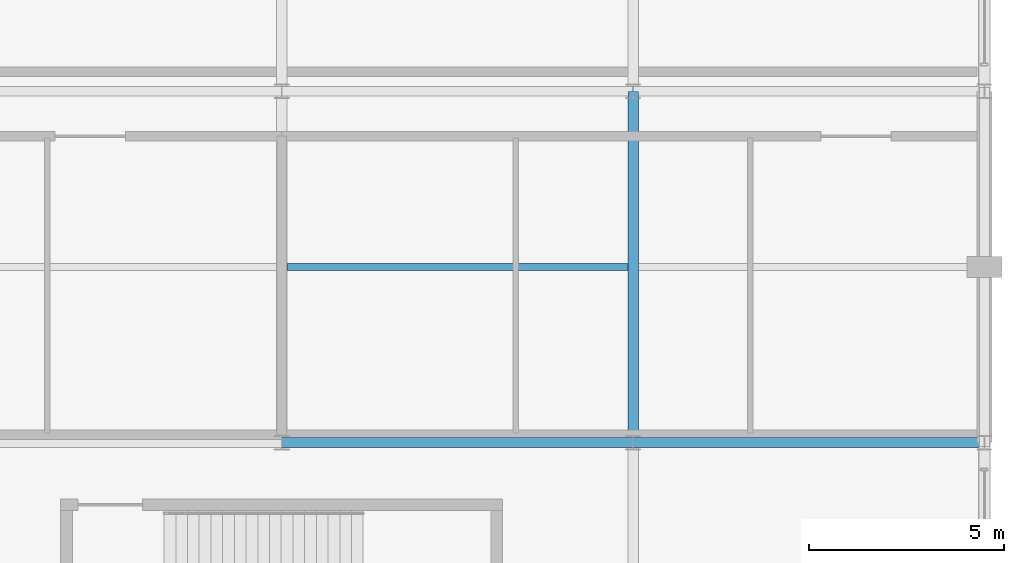
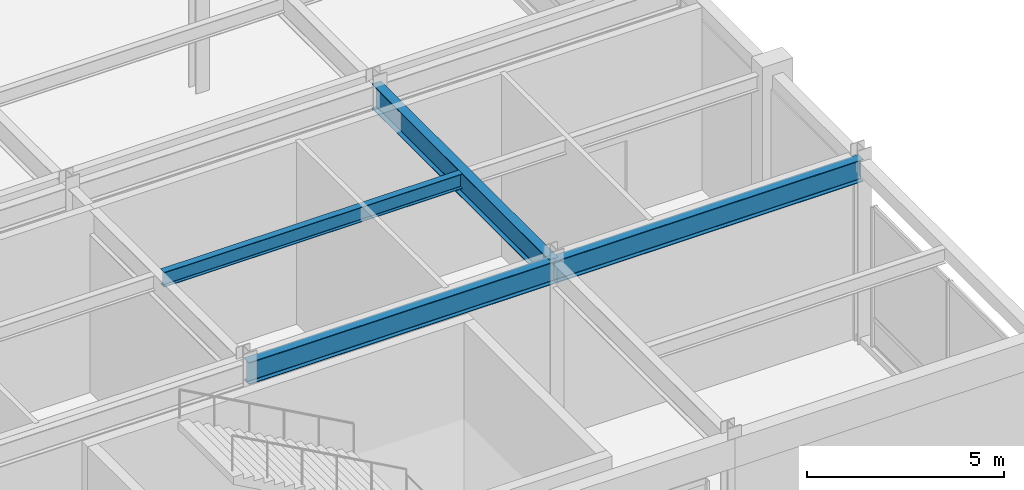
# One storey, part 53 of 108: 4 beams.
"""IFC4 building model written with IfcOpenShell, lengths in metres."""

import ifcopenshell
import ifcopenshell.guid

model = None  # the IFC model being written
_history = None  # IfcOwnerHistory: only IFC2X3 demands one
_inside = {}  # id of a spatial element -> (the spatial element, [elements in it])
_under = {}  # id of a project, library or spatial element -> (it, [spatial elements below it])
_declared = {}  # id of a project -> (the project, [libraries it declares])
_typed = {}  # id of a type object -> (the type object, [elements of that type])
_made_of = {}  # id of a material, layer set ... -> (it, [elements and type objects made of it])


def new_model(schema):
    """Start an empty IFC model of exactly this schema.

    Asked for "IFC4X3", IfcOpenShell would pick the latest addendum, in which some entities
    have other attributes; the version numbers below select the first issue.
    IFC2X3 requires an IfcOwnerHistory on every rooted entity: one is made here for all.
    """
    global model, _history
    if schema == "IFC4X3":
        model = ifcopenshell.file(schema_version=(4, 3, 0, 0))
    else:
        model = ifcopenshell.file(schema=schema)
    _inside.clear()
    _under.clear()
    _declared.clear()
    _typed.clear()
    _made_of.clear()
    _history = None
    if model.schema == "IFC2X3":
        org = make("IfcOrganization", Name="unknown")
        user = make(
            "IfcPersonAndOrganization",
            ThePerson=make("IfcPerson", FamilyName="unknown"),
            TheOrganization=org,
        )
        app = make(
            "IfcApplication",
            ApplicationDeveloper=org,
            Version="unknown",
            ApplicationFullName="unknown",
            ApplicationIdentifier="unknown",
        )
        _history = make(
            "IfcOwnerHistory",
            OwningUser=user,
            OwningApplication=app,
            ChangeAction="ADDED",
            CreationDate=0,
        )
    return model


def make(cls, **values):
    """One entity of the class cls with the attributes given. An attribute that is None is left unset."""
    return model.create_entity(
        cls, **{name: value for name, value in values.items() if value is not None}
    )


def rooted(cls, **values):
    """An entity with a GlobalId (a new one), such as an element, a storey or a relation."""
    return make(cls, GlobalId=ifcopenshell.guid.new(), OwnerHistory=_history, **values)


def si_unit(unit_type, name, prefix=None):
    """IfcSIUnit, for example si_unit("LENGTHUNIT", "METRE", prefix="MILLI")."""
    return make("IfcSIUnit", UnitType=unit_type, Prefix=prefix, Name=name)


def assignment(units):
    """IfcUnitAssignment: the units of a project."""
    return None if units is None else make("IfcUnitAssignment", Units=units)


def point(xyz):
    """IfcCartesianPoint."""
    return None if xyz is None else make("IfcCartesianPoint", Coordinates=xyz)


def direction(xyz):
    """IfcDirection."""
    return None if xyz is None else make("IfcDirection", DirectionRatios=xyz)


def frame(location, z_axis=None, x_axis=None):
    """IfcAxis2Placement3D, a coordinate frame: its origin and axes. An axis left out is left unset."""
    return make(
        "IfcAxis2Placement3D",
        Location=point(location),
        Axis=direction(z_axis),
        RefDirection=direction(x_axis),
    )


def frame_2d(location, x_axis=None):
    """IfcAxis2Placement2D, a coordinate frame in the plane: its origin and x axis."""
    return make(
        "IfcAxis2Placement2D", Location=point(location), RefDirection=direction(x_axis)
    )


def origin():
    """The frame at (0, 0, 0) with its axes left unset."""
    return frame((0.0, 0.0, 0.0))


def origin_2d():
    """The frame at (0, 0) in the plane with its x axis left unset."""
    return frame_2d((0.0, 0.0))


def place(relative_to, where):
    """IfcLocalPlacement: puts the frame where relative to a parent placement (None: the world)."""
    return make(
        "IfcLocalPlacement", PlacementRelTo=relative_to, RelativePlacement=where
    )


def context(
    kind, dimensions, precision=None, world=None, true_north=None, identifier=None
):
    """IfcGeometricRepresentationContext, for example the 3D "Model" context."""
    return make(
        "IfcGeometricRepresentationContext",
        ContextIdentifier=identifier,
        ContextType=kind,
        CoordinateSpaceDimension=dimensions,
        Precision=precision,
        WorldCoordinateSystem=world,
        TrueNorth=true_north,
    )


def subcontext(parent, identifier, kind, view, scale=None):
    """IfcGeometricRepresentationSubContext, for example "Body" below "Model"."""
    return make(
        "IfcGeometricRepresentationSubContext",
        ContextIdentifier=identifier,
        ContextType=kind,
        ParentContext=parent,
        TargetScale=scale,
        TargetView=view,
    )


def project(units=None, contexts=None):
    """IfcProject with its units and contexts."""
    return rooted(
        "IfcProject",
        Name="project",
        RepresentationContexts=contexts,
        UnitsInContext=assignment(units),
    )


def spatial(cls, under=None, at=None, **own):
    """A site, building, storey or space (cls), placed at a placement, below another one or the project."""
    s = rooted(cls, ObjectPlacement=at, **own)
    if under is not None:
        _under.setdefault(under.id(), (under, []))[1].append(s)
    return s


def profile(cls, at=None, kind="AREA", **sizes):
    """A parametric profile (cls). Its sizes go by their IFC names, for example OverallWidth=200.0."""
    return make(cls, ProfileType=kind, Position=at, **sizes)


def i_section(**sizes):
    """IfcIShapeProfileDef."""
    return profile("IfcIShapeProfileDef", **sizes)


def extrude(swept, where, along, depth):
    """IfcExtrudedAreaSolid: the profile swept, set in the frame where, extruded along a direction by depth."""
    return make(
        "IfcExtrudedAreaSolid",
        SweptArea=swept,
        Position=where,
        ExtrudedDirection=direction(along),
        Depth=depth,
    )


def shape(context_of_items, identifier, shape_type, items):
    """IfcShapeRepresentation: the items that make up one representation, for example the "Body"."""
    return make(
        "IfcShapeRepresentation",
        ContextOfItems=context_of_items,
        RepresentationIdentifier=identifier,
        RepresentationType=shape_type,
        Items=items,
    )


def material(Name=None, Category=None):
    """IfcMaterial."""
    return make("IfcMaterial", Name=Name, Category=Category)


def material_profile(
    of_material, cross_section, Name=None, Category=None, Priority=None
):
    """IfcMaterialProfile: a cross section and its material."""
    return make(
        "IfcMaterialProfile",
        Name=Name,
        Material=of_material,
        Profile=cross_section,
        Priority=Priority,
        Category=Category,
    )


def profile_set(profiles, Name=None, composite=None):
    """IfcMaterialProfileSet."""
    return make(
        "IfcMaterialProfileSet",
        Name=Name,
        MaterialProfiles=profiles,
        CompositeProfile=composite,
    )


def made_of(thing, what):
    """Note that an element or type object is made of a material, layer set ...; save() writes the relation."""
    if what is not None:
        _made_of.setdefault(what.id(), (what, []))[1].append(thing)
    return thing


def type_object(cls, material=None, **own):
    """A type object (cls), such as IfcWallType, which elements share."""
    return made_of(rooted(cls, **own), material)


def element(
    cls,
    number,
    at=None,
    inside=None,
    cuts=None,
    type_object=None,
    material=None,
    context=None,
    identifier="Body",
    shape_type=None,
    held_by="IfcProductDefinitionShape",
    body=None,
    shapes=None,
    **own,
):
    """One element of the class cls, such as IfcWall. Its Tag is "e" and its number.

    at: its placement. inside: the storey or other place that contains it. cuts: it is an
    opening in that element (IfcRelVoidsElement). A single representation is given by context,
    identifier, shape_type and body (its items); several are given by shapes. held_by: the class
    of the entity that holds the representations. save() writes the other relations.
    """
    e = rooted(cls, Tag="e%d" % number, ObjectPlacement=at, **own)
    if body is not None:
        shapes = [shape(context, identifier, shape_type, body)]
    if shapes is not None:
        e.Representation = make(held_by, Representations=shapes)
    if inside is not None:
        _inside.setdefault(inside.id(), (inside, []))[1].append(e)
    if cuts is not None:
        rooted(
            "IfcRelVoidsElement", RelatingBuildingElement=cuts, RelatedOpeningElement=e
        )
    if type_object is not None:
        _typed.setdefault(type_object.id(), (type_object, []))[1].append(e)
    return made_of(e, material)


def aggregate(whole, parts):
    """IfcRelAggregates: a whole, such as a stair, and the parts it consists of."""
    return rooted("IfcRelAggregates", RelatingObject=whole, RelatedObjects=parts)


def save(model, path):
    """Write the relations noted so far, then the file.

    IfcRelAggregates (storeys below a building ...), IfcRelContainedInSpatialStructure (elements
    in a storey), IfcRelDefinesByType, IfcRelAssociatesMaterial and IfcRelDeclares: one each for
    every whole, place, type object, material and project.
    """
    for whole, parts in _under.values():
        aggregate(whole, parts)
    for where, things in _inside.values():
        rooted(
            "IfcRelContainedInSpatialStructure",
            RelatedElements=things,
            RelatingStructure=where,
        )
    for kind, things in _typed.values():
        rooted("IfcRelDefinesByType", RelatedObjects=things, RelatingType=kind)
    for what, things in _made_of.values():
        rooted("IfcRelAssociatesMaterial", RelatedObjects=things, RelatingMaterial=what)
    for by, libraries in _declared.values():
        rooted("IfcRelDeclares", RelatingContext=by, RelatedDefinitions=libraries)
    model.write(path)


model = new_model("IFC4")

# Units and contexts
model_context = context("Model", 3, precision=1e-05, world=origin(), true_north=direction((0.0, 1.0)))
body_context = subcontext(model_context, "Body", "Model", "MODEL_VIEW")
ifc_project = project(units=[si_unit("LENGTHUNIT", "METRE"), si_unit("AREAUNIT", "SQUARE_METRE"), si_unit("VOLUMEUNIT", "CUBIC_METRE"), si_unit("PLANEANGLEUNIT", "RADIAN"), si_unit("MASSUNIT", "GRAM", prefix="KILO")], contexts=[model_context])

# Site, building, storey
site_placement = place(None, origin())
site = spatial("IfcSite", under=ifc_project, at=site_placement, CompositionType="ELEMENT")
building_placement = place(site_placement, origin())
building = spatial("IfcBuilding", under=site, at=building_placement, Name="Kaldorvane Square Convention Centre", CompositionType="ELEMENT")
storey_placement = place(building_placement, frame((0.0, 0.0, 12.0)))
storey = spatial("IfcBuildingStorey", under=building, at=storey_placement, Name="L02", CompositionType="ELEMENT", Elevation=12.0)

# Beams
ifc_material = material(Name="Steel ASTM A992 Gr. 50", Category="steel")
ifc_material_profile_1 = material_profile(ifc_material, i_section(OverallWidth=0.25439453125, OverallDepth=0.6880950927734375, WebThickness=0.0131072998046875, FlangeThickness=0.0211029052734375, FilletRadius=0.01519775390625, at=origin_2d()), Name="W27X102")
ifc_profile_set_1 = profile_set([ifc_material_profile_1], Name="Steel ASTM A992 Gr. 50")
beam_type_1 = type_object("IfcBeamType", Name="BM-GR-W27X102", PredefinedType="BEAM", material=ifc_profile_set_1)
for number, where, z_axis, x_axis, name in (
    (1, (156.0, 9.0, 5.3018951416015625), (1.0, 0.0, 0.0), (0.0, 1.0, 0.0), "Primary Girder (L02)"),
    (2, (165.0, 9.0, 5.3018951416015625), (1.0, 0.0, 0.0), (0.0, 1.0, 0.0), "Primary Girder (L02)"),
):
    element("IfcBeam", number, at=place(storey_placement, frame(where, z_axis=z_axis, x_axis=x_axis)), inside=storey, type_object=beam_type_1, Name=name, PredefinedType="BEAM", context=body_context, shape_type="SweptSolid", body=[
        extrude(i_section(OverallWidth=0.25439453125, OverallDepth=0.6880950927734375, WebThickness=0.0131072998046875, FlangeThickness=0.0211029052734375, FilletRadius=0.01519775390625, at=origin_2d()), origin(), (0.0, 0.0, 1.0), 9.0),
    ])
ifc_material_profile_2 = material_profile(ifc_material, i_section(OverallWidth=0.2666015625, OverallDepth=0.762298583984375, WebThickness=0.014404296875, FlangeThickness=0.0216064453125, FilletRadius=0.0164947509765625, at=origin_2d()), Name="W30X116")
ifc_profile_set_2 = profile_set([ifc_material_profile_2], Name="Steel ASTM A992 Gr. 50")
beam_type_2 = type_object("IfcBeamType", Name="BM-GR-W30X116", PredefinedType="BEAM", material=ifc_profile_set_2)
beam_1_placement = place(storey_placement, frame((165.0, 9.0, 5.264801025390625), z_axis=(0.0, 1.0, 0.0), x_axis=(-1.0, 0.0, 0.0)))
element("IfcBeam", 3, at=beam_1_placement, inside=storey, type_object=beam_type_2, Name="Transverse Girder (L02)", PredefinedType="BEAM", context=body_context, shape_type="SweptSolid", body=[
    extrude(i_section(OverallWidth=0.2666015625, OverallDepth=0.762298583984375, WebThickness=0.014404296875, FlangeThickness=0.0216064453125, FilletRadius=0.0164947509765625, at=origin_2d()), origin(), (0.0, 0.0, 1.0), 9.0),
])
ifc_material_profile_3 = material_profile(ifc_material, i_section(OverallWidth=0.1912994384765625, OverallDepth=0.4600067138671875, WebThickness=0.0099029541015625, FlangeThickness=0.0160064697265625, FilletRadius=0.01019287109375, at=origin_2d()), Name="W18X55")
ifc_profile_set_3 = profile_set([ifc_material_profile_3], Name="Steel ASTM A992 Gr. 50")
beam_type_3 = type_object("IfcBeamType", Name="BM-JS-W18X55", PredefinedType="JOIST", material=ifc_profile_set_3)
beam_2_placement = place(storey_placement, frame((156.13330078125, 13.5, 5.4160003662109375), z_axis=(1.0, 0.0, 0.0), x_axis=(0.0, 1.0, 0.0)))
element("IfcBeam", 4, at=beam_2_placement, inside=storey, type_object=beam_type_3, Name="Secondary Floor Joist (L02)", PredefinedType="JOIST", context=body_context, shape_type="SweptSolid", body=[
    extrude(i_section(OverallWidth=0.1912994384765625, OverallDepth=0.4600067138671875, WebThickness=0.0099029541015625, FlangeThickness=0.0160064697265625, FilletRadius=0.01019287109375, at=origin_2d()), origin(), (0.0, 0.0, 1.0), 8.7333984375),
])

save(model, "model.ifc")
